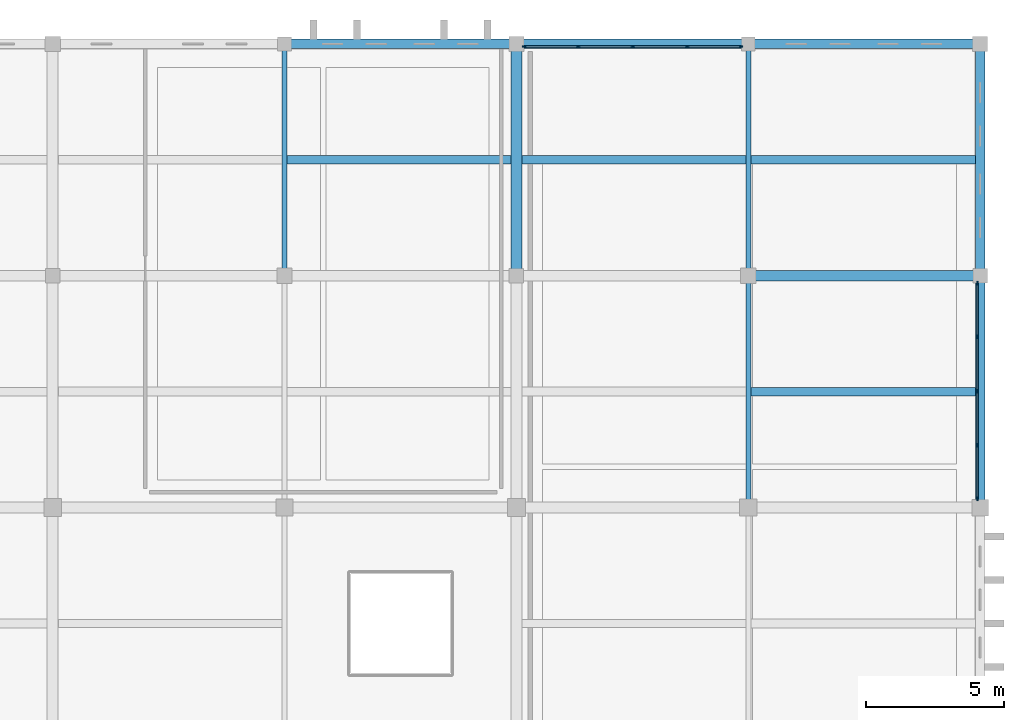
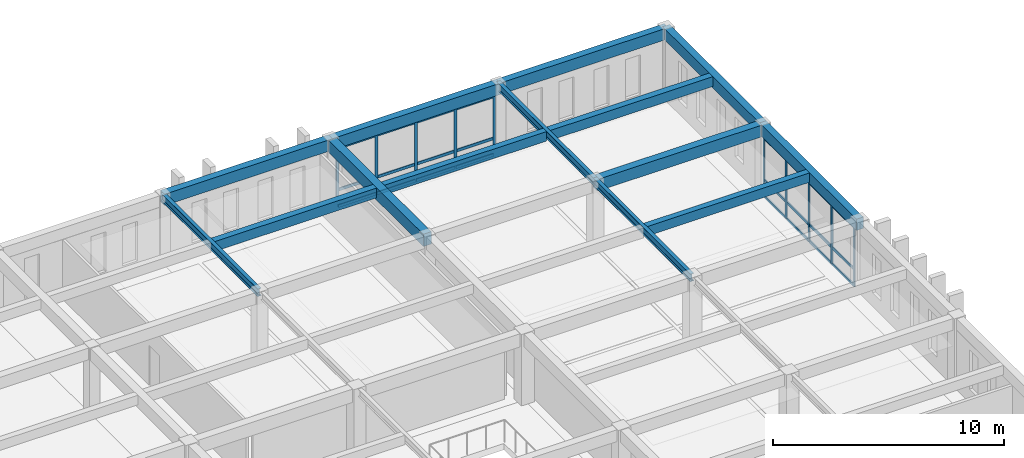
# One storey, part 21 of 47: 34 members, 14 beams, 2 elements without a shape of their own.
"""IFC4 building model written with IfcOpenShell, lengths in metres."""

from ifc_helpers import new_model, si_unit, direction, frame, origin, origin_2d, place, context, subcontext, project, spatial, rectangle, i_section, extrude, material, layer, layer_set, material_profile, profile_set, type_object, element, aggregate, save


model = new_model("IFC4")

# Units and contexts
model_context = context("Model", 3, precision=1e-05, world=origin(), true_north=direction((0.0, 1.0)))
body_context = subcontext(model_context, "Body", "Model", "MODEL_VIEW")
ifc_project = project(units=[si_unit("LENGTHUNIT", "METRE"), si_unit("AREAUNIT", "SQUARE_METRE"), si_unit("VOLUMEUNIT", "CUBIC_METRE"), si_unit("PLANEANGLEUNIT", "RADIAN"), si_unit("MASSUNIT", "GRAM", prefix="KILO")], contexts=[model_context])

# Site, building, storey
site_placement = place(None, origin())
site = spatial("IfcSite", under=ifc_project, at=site_placement, CompositionType="ELEMENT")
building_placement = place(site_placement, origin())
building = spatial("IfcBuilding", under=site, at=building_placement, Name="Kveldsbrygga Polytechnic", CompositionType="ELEMENT")
storey_placement = place(building_placement, frame((0.0, 0.0, 13.93994140625)))
storey = spatial("IfcBuildingStorey", under=building, at=storey_placement, Name="L03", CompositionType="ELEMENT", Elevation=13.93994140625)

# Beams
ifc_material_1 = material(Name="Concrete C35/45", Category="concrete")
ifc_material_profile_1 = material_profile(ifc_material_1, rectangle(XDim=0.3798828125, YDim=0.6201171875, at=origin_2d()), Name="RC 380x620")
ifc_profile_set_1 = profile_set([ifc_material_profile_1], Name="Concrete C35/45")
beam_type_1 = type_object("IfcBeamType", Name="BM-RC-380x620", PredefinedType="BEAM", material=ifc_profile_set_1)
beam_1_placement = place(storey_placement, frame((159.60009765625, 109.199951171875, 3.43994140625), z_axis=(1.0, 0.0, 0.0), x_axis=(0.0, 1.0, 0.0)))
element("IfcBeam", 1, at=beam_1_placement, inside=storey, type_object=beam_type_1, Name="Primary Beam BMX-L03-19to20-13", PredefinedType="BEAM", context=body_context, shape_type="SweptSolid", body=[
    extrude(rectangle(XDim=0.3798828125, YDim=0.6201171875, at=origin_2d()), origin(), (0.0, 0.0, 1.0), 8.39990234375),
])
ifc_material_profile_2 = material_profile(ifc_material_1, rectangle(XDim=0.39990234375, YDim=0.64990234375, at=origin_2d()), Name="RC 400x650")
ifc_profile_set_2 = profile_set([ifc_material_profile_2], Name="Concrete C35/45")
beam_type_2 = type_object("IfcBeamType", Name="BM-RC-400x650", PredefinedType="BEAM", material=ifc_profile_set_2)
beam_2_placement = place(storey_placement, frame((151.199951171875, 109.199951171875, 3.425048828125), z_axis=(0.0, 1.0, 0.0), x_axis=(-1.0, 0.0, 0.0)))
element("IfcBeam", 2, at=beam_2_placement, inside=storey, type_object=beam_type_2, Name="Primary Beam BMY-L03-18-13to14", PredefinedType="BEAM", context=body_context, shape_type="SweptSolid", body=[
    extrude(rectangle(XDim=0.39990234375, YDim=0.64990234375, at=origin_2d()), origin(), (0.0, 0.0, 1.0), 8.400146484375),
])
ifc_material_profile_3 = material_profile(ifc_material_1, rectangle(XDim=0.35009765625, YDim=0.60009765625, at=origin_2d()), Name="RC 350x600")
ifc_profile_set_3 = profile_set([ifc_material_profile_3], Name="Concrete C35/45")
beam_type_3 = type_object("IfcBeamType", Name="BM-SPANDREL-600", PredefinedType="T_BEAM", material=ifc_profile_set_3)
beam_3_placement = place(storey_placement, frame((142.800048828125, 117.60009765625, 3.449951171875), z_axis=(1.0, 0.0, 0.0), x_axis=(0.0, 1.0, 0.0)))
element("IfcBeam", 3, at=beam_3_placement, inside=storey, type_object=beam_type_3, Name="Primary Beam BMX-L03-17to18-14", PredefinedType="T_BEAM", context=body_context, shape_type="SweptSolid", body=[
    extrude(rectangle(XDim=0.35009765625, YDim=0.60009765625, at=origin_2d()), origin(), (0.0, 0.0, 1.0), 8.39990234375),
])
beam_4_placement = place(storey_placement, frame((151.199951171875, 117.60009765625, 3.449951171875), z_axis=(1.0, 0.0, 0.0), x_axis=(0.0, 1.0, 0.0)))
element("IfcBeam", 4, at=beam_4_placement, inside=storey, type_object=beam_type_3, Name="Primary Beam BMX-L03-18to19-14", PredefinedType="T_BEAM", context=body_context, shape_type="SweptSolid", body=[
    extrude(rectangle(XDim=0.35009765625, YDim=0.60009765625, at=origin_2d()), origin(), (0.0, 0.0, 1.0), 8.400146484375),
])
for number, where, z_axis, x_axis, name in (
    (5, (159.60009765625, 117.60009765625, 3.449951171875), (1.0, 0.0, 0.0), (0.0, 1.0, 0.0), "Primary Beam BMX-L03-19to20-14"),
    (6, (168.0, 100.800048828125, 3.449951171875), (0.0, 1.0, 0.0), (-1.0, 0.0, 0.0), "Primary Beam BMY-L03-20-12to13"),
):
    element("IfcBeam", number, at=place(storey_placement, frame(where, z_axis=z_axis, x_axis=x_axis)), inside=storey, type_object=beam_type_3, Name=name, PredefinedType="T_BEAM", context=body_context, shape_type="SweptSolid", body=[
        extrude(rectangle(XDim=0.35009765625, YDim=0.60009765625, at=origin_2d()), origin(), (0.0, 0.0, 1.0), 8.39990234375),
    ])
beam_5_placement = place(storey_placement, frame((168.0, 109.199951171875, 3.449951171875), z_axis=(0.0, 1.0, 0.0), x_axis=(-1.0, 0.0, 0.0)))
element("IfcBeam", 7, at=beam_5_placement, inside=storey, type_object=beam_type_3, Name="Primary Beam BMY-L03-20-13to14", PredefinedType="T_BEAM", context=body_context, shape_type="SweptSolid", body=[
    extrude(rectangle(XDim=0.35009765625, YDim=0.60009765625, at=origin_2d()), origin(), (0.0, 0.0, 1.0), 8.400146484375),
])
ifc_material_2 = material(Name="Steel S355", Category="steel")
ifc_material_profile_4 = material_profile(ifc_material_2, i_section(OverallWidth=0.179931640625, OverallDepth=0.39990234375, WebThickness=0.008544921875, FlangeThickness=0.013427734375, FilletRadius=0.02099609375, at=origin_2d()), Name="IPE 400")
ifc_profile_set_4 = profile_set([ifc_material_profile_4], Name="Steel S355")
beam_type_4 = type_object("IfcBeamType", Name="BM-STL-IPE400", PredefinedType="BEAM", material=ifc_profile_set_4)
beam_6_placement = place(storey_placement, frame((142.800048828125, 109.199951171875, 3.550048828125), z_axis=(0.0, 1.0, 0.0), x_axis=(-1.0, 0.0, 0.0)))
element("IfcBeam", 8, at=beam_6_placement, inside=storey, type_object=beam_type_4, Name="Primary Beam BMY-L03-17-13to14", PredefinedType="BEAM", context=body_context, shape_type="SweptSolid", body=[
    extrude(i_section(OverallWidth=0.179931640625, OverallDepth=0.39990234375, WebThickness=0.008544921875, FlangeThickness=0.013427734375, FilletRadius=0.02099609375, at=origin_2d()), origin(), (0.0, 0.0, 1.0), 8.400146484375),
])
beam_7_placement = place(storey_placement, frame((159.60009765625, 100.800048828125, 3.550048828125), z_axis=(0.0, 1.0, 0.0), x_axis=(-1.0, 0.0, 0.0)))
element("IfcBeam", 9, at=beam_7_placement, inside=storey, type_object=beam_type_4, Name="Primary Beam BMY-L03-19-12to13", PredefinedType="BEAM", context=body_context, shape_type="SweptSolid", body=[
    extrude(i_section(OverallWidth=0.179931640625, OverallDepth=0.39990234375, WebThickness=0.008544921875, FlangeThickness=0.013427734375, FilletRadius=0.02099609375, at=origin_2d()), origin(), (0.0, 0.0, 1.0), 8.39990234375),
])
beam_8_placement = place(storey_placement, frame((159.60009765625, 109.199951171875, 3.550048828125), z_axis=(0.0, 1.0, 0.0), x_axis=(-1.0, 0.0, 0.0)))
element("IfcBeam", 10, at=beam_8_placement, inside=storey, type_object=beam_type_4, Name="Primary Beam BMY-L03-19-13to14", PredefinedType="BEAM", context=body_context, shape_type="SweptSolid", body=[
    extrude(i_section(OverallWidth=0.179931640625, OverallDepth=0.39990234375, WebThickness=0.008544921875, FlangeThickness=0.013427734375, FilletRadius=0.02099609375, at=origin_2d()), origin(), (0.0, 0.0, 1.0), 8.400146484375),
])

# Curtain wall, members
ifc_material_3 = material(Name="Anodised aluminium AW-6060", Category="aluminium")
ifc_layer = layer(ifc_material_3, 0.199951171875)
ifc_layer_set = layer_set([ifc_layer], Name="Anodised aluminium AW-6060")
curtain_wall_type = type_object("IfcCurtainWallType", Name="CW-LANC-E", PredefinedType="USERDEFINED", material=ifc_layer_set)
curtain_wall_1_placement = place(storey_placement, origin())
curtain_wall_1 = element("IfcCurtainWall", 11, at=curtain_wall_1_placement, inside=storey, type_object=curtain_wall_type, Name="Curtain Wall CW-L03-X-18-14", ObjectType="UNITISED CURTAIN WALL", PredefinedType="USERDEFINED")
ifc_material_profile_5 = material_profile(ifc_material_3, rectangle(XDim=0.06005859375, YDim=0.139892578125, at=origin_2d()), Name="ALU 60x140")
ifc_profile_set_5 = profile_set([ifc_material_profile_5], Name="Anodised aluminium AW-6060")
member_type_1 = type_object("IfcMemberType", Name="CW-MUL-140", PredefinedType="MULLION", material=ifc_profile_set_5)
member_1_placement = place(storey_placement, frame((151.489990234375, 117.5, 0.0), z_axis=(0.0, 0.0, 1.0), x_axis=(0.0, 1.0, 0.0)))
member_1 = element("IfcMember", 12, at=member_1_placement, type_object=member_type_1, Name="CW-05 mullion 1", PredefinedType="MULLION", context=body_context, shape_type="SweptSolid", body=[
    extrude(rectangle(XDim=0.06005859375, YDim=0.139892578125, at=origin_2d()), origin(), (0.0, 0.0, 1.0), 3.150146484375),
])
member_2_placement = place(storey_placement, frame((153.436279296875, 117.5, 0.0), z_axis=(0.0, 0.0, 1.0), x_axis=(0.0, 1.0, 0.0)))
member_2 = element("IfcMember", 13, at=member_2_placement, type_object=member_type_1, Name="CW-05 mullion 2", PredefinedType="MULLION", context=body_context, shape_type="SweptSolid", body=[
    extrude(rectangle(XDim=0.06005859375, YDim=0.139892578125, at=origin_2d()), origin(), (0.0, 0.0, 1.0), 3.150146484375),
])
member_3_placement = place(storey_placement, frame((155.41259765625, 117.5, 0.0), z_axis=(0.0, 0.0, 1.0), x_axis=(0.0, 1.0, 0.0)))
member_3 = element("IfcMember", 14, at=member_3_placement, type_object=member_type_1, Name="CW-05 mullion 3", PredefinedType="MULLION", context=body_context, shape_type="SweptSolid", body=[
    extrude(rectangle(XDim=0.06005859375, YDim=0.139892578125, at=origin_2d()), origin(), (0.0, 0.0, 1.0), 3.150146484375),
])
member_4_placement = place(storey_placement, frame((157.388671875, 117.5, 0.0), z_axis=(0.0, 0.0, 1.0), x_axis=(0.0, 1.0, 0.0)))
member_4 = element("IfcMember", 15, at=member_4_placement, type_object=member_type_1, Name="CW-05 mullion 4", PredefinedType="MULLION", context=body_context, shape_type="SweptSolid", body=[
    extrude(rectangle(XDim=0.06005859375, YDim=0.139892578125, at=origin_2d()), origin(), (0.0, 0.0, 1.0), 3.150146484375),
])
member_5_placement = place(storey_placement, frame((159.3349609375, 117.5, 0.0), z_axis=(0.0, 0.0, 1.0), x_axis=(0.0, 1.0, 0.0)))
member_5 = element("IfcMember", 16, at=member_5_placement, type_object=member_type_1, Name="CW-05 mullion 5", PredefinedType="MULLION", context=body_context, shape_type="SweptSolid", body=[
    extrude(rectangle(XDim=0.06005859375, YDim=0.139892578125, at=origin_2d()), origin(), (0.0, 0.0, 1.0), 3.150146484375),
])

curtain_wall_2_placement = place(storey_placement, origin())
curtain_wall_2 = element("IfcCurtainWall", 17, at=curtain_wall_2_placement, inside=storey, type_object=curtain_wall_type, Name="Curtain Wall CW-L03-Y-20-12", ObjectType="UNITISED CURTAIN WALL", PredefinedType="USERDEFINED")
member_6_placement = place(storey_placement, frame((167.89990234375, 101.114990234375, 0.0), z_axis=(0.0, 0.0, 1.0), x_axis=(-1.0, 0.0, 0.0)))
member_6 = element("IfcMember", 18, at=member_6_placement, type_object=member_type_1, Name="CW-05 mullion 1", PredefinedType="MULLION", context=body_context, shape_type="SweptSolid", body=[
    extrude(rectangle(XDim=0.06005859375, YDim=0.139892578125, at=origin_2d()), origin(), (0.0, 0.0, 1.0), 3.150146484375),
])
member_7_placement = place(storey_placement, frame((167.89990234375, 103.052490234375, 0.0), z_axis=(0.0, 0.0, 1.0), x_axis=(-1.0, 0.0, 0.0)))
member_7 = element("IfcMember", 19, at=member_7_placement, type_object=member_type_1, Name="CW-05 mullion 2", PredefinedType="MULLION", context=body_context, shape_type="SweptSolid", body=[
    extrude(rectangle(XDim=0.06005859375, YDim=0.139892578125, at=origin_2d()), origin(), (0.0, 0.0, 1.0), 3.150146484375),
])
member_8_placement = place(storey_placement, frame((167.89990234375, 105.02001953125, 0.0), z_axis=(0.0, 0.0, 1.0), x_axis=(-1.0, 0.0, 0.0)))
member_8 = element("IfcMember", 20, at=member_8_placement, type_object=member_type_1, Name="CW-05 mullion 3", PredefinedType="MULLION", context=body_context, shape_type="SweptSolid", body=[
    extrude(rectangle(XDim=0.06005859375, YDim=0.139892578125, at=origin_2d()), origin(), (0.0, 0.0, 1.0), 3.150146484375),
])
member_9_placement = place(storey_placement, frame((167.89990234375, 106.987548828125, 0.0), z_axis=(0.0, 0.0, 1.0), x_axis=(-1.0, 0.0, 0.0)))
member_9 = element("IfcMember", 21, at=member_9_placement, type_object=member_type_1, Name="CW-05 mullion 4", PredefinedType="MULLION", context=body_context, shape_type="SweptSolid", body=[
    extrude(rectangle(XDim=0.06005859375, YDim=0.139892578125, at=origin_2d()), origin(), (0.0, 0.0, 1.0), 3.150146484375),
])
member_10_placement = place(storey_placement, frame((167.89990234375, 108.925048828125, 0.0), z_axis=(0.0, 0.0, 1.0), x_axis=(-1.0, 0.0, 0.0)))
member_10 = element("IfcMember", 22, at=member_10_placement, type_object=member_type_1, Name="CW-05 mullion 5", PredefinedType="MULLION", context=body_context, shape_type="SweptSolid", body=[
    extrude(rectangle(XDim=0.06005859375, YDim=0.139892578125, at=origin_2d()), origin(), (0.0, 0.0, 1.0), 3.150146484375),
])

# Member
ifc_material_profile_6 = material_profile(ifc_material_3, rectangle(XDim=0.06005859375, YDim=0.14990234375, at=origin_2d()), Name="ALU 60x150")
ifc_profile_set_6 = profile_set([ifc_material_profile_6], Name="Anodised aluminium AW-6060")
member_type_2 = type_object("IfcMemberType", Name="CW-TRN-150", PredefinedType="USERDEFINED", material=ifc_profile_set_6)
member_11_placement = place(storey_placement, frame((151.52001953125, 117.5, 0.030029296875), z_axis=(1.0, 0.0, 0.0), x_axis=(0.0, 1.0, 0.0)))
member_11 = element("IfcMember", 23, at=member_11_placement, type_object=member_type_2, Name="CW-05 transom 1.1", ObjectType="TRANSOM", PredefinedType="USERDEFINED", context=body_context, shape_type="SweptSolid", body=[
    extrude(rectangle(XDim=0.06005859375, YDim=0.14990234375, at=origin_2d()), origin(), (0.0, 0.0, 1.0), 1.88623046875),
])

member_12_placement = place(storey_placement, frame((151.52001953125, 117.5, 0.900146484375), z_axis=(1.0, 0.0, 0.0), x_axis=(0.0, 1.0, 0.0)))
member_12 = element("IfcMember", 24, at=member_12_placement, type_object=member_type_2, Name="CW-05 transom 1.2", ObjectType="TRANSOM", PredefinedType="USERDEFINED", context=body_context, shape_type="SweptSolid", body=[
    extrude(rectangle(XDim=0.06005859375, YDim=0.14990234375, at=origin_2d()), origin(), (0.0, 0.0, 1.0), 1.88623046875),
])

member_13_placement = place(storey_placement, frame((151.52001953125, 117.5, 3.1201171875), z_axis=(1.0, 0.0, 0.0), x_axis=(0.0, 1.0, 0.0)))
member_13 = element("IfcMember", 25, at=member_13_placement, type_object=member_type_2, Name="CW-05 transom 1.3", ObjectType="TRANSOM", PredefinedType="USERDEFINED", context=body_context, shape_type="SweptSolid", body=[
    extrude(rectangle(XDim=0.06005859375, YDim=0.14990234375, at=origin_2d()), origin(), (0.0, 0.0, 1.0), 1.88623046875),
])

member_14_placement = place(storey_placement, frame((153.46630859375, 117.5, 0.030029296875), z_axis=(1.0, 0.0, 0.0), x_axis=(0.0, 1.0, 0.0)))
member_14 = element("IfcMember", 26, at=member_14_placement, type_object=member_type_2, Name="CW-05 transom 2.1", ObjectType="TRANSOM", PredefinedType="USERDEFINED", context=body_context, shape_type="SweptSolid", body=[
    extrude(rectangle(XDim=0.06005859375, YDim=0.14990234375, at=origin_2d()), origin(), (0.0, 0.0, 1.0), 1.916259765625),
])

member_15_placement = place(storey_placement, frame((153.46630859375, 117.5, 0.900146484375), z_axis=(1.0, 0.0, 0.0), x_axis=(0.0, 1.0, 0.0)))
member_15 = element("IfcMember", 27, at=member_15_placement, type_object=member_type_2, Name="CW-05 transom 2.2", ObjectType="TRANSOM", PredefinedType="USERDEFINED", context=body_context, shape_type="SweptSolid", body=[
    extrude(rectangle(XDim=0.06005859375, YDim=0.14990234375, at=origin_2d()), origin(), (0.0, 0.0, 1.0), 1.916259765625),
])

member_16_placement = place(storey_placement, frame((153.46630859375, 117.5, 3.1201171875), z_axis=(1.0, 0.0, 0.0), x_axis=(0.0, 1.0, 0.0)))
member_16 = element("IfcMember", 28, at=member_16_placement, type_object=member_type_2, Name="CW-05 transom 2.3", ObjectType="TRANSOM", PredefinedType="USERDEFINED", context=body_context, shape_type="SweptSolid", body=[
    extrude(rectangle(XDim=0.06005859375, YDim=0.14990234375, at=origin_2d()), origin(), (0.0, 0.0, 1.0), 1.916259765625),
])

member_17_placement = place(storey_placement, frame((155.4423828125, 117.5, 0.030029296875), z_axis=(1.0, 0.0, 0.0), x_axis=(0.0, 1.0, 0.0)))
member_17 = element("IfcMember", 29, at=member_17_placement, type_object=member_type_2, Name="CW-05 transom 3.1", ObjectType="TRANSOM", PredefinedType="USERDEFINED", context=body_context, shape_type="SweptSolid", body=[
    extrude(rectangle(XDim=0.06005859375, YDim=0.14990234375, at=origin_2d()), origin(), (0.0, 0.0, 1.0), 1.916259765625),
])

member_18_placement = place(storey_placement, frame((155.4423828125, 117.5, 0.900146484375), z_axis=(1.0, 0.0, 0.0), x_axis=(0.0, 1.0, 0.0)))
member_18 = element("IfcMember", 30, at=member_18_placement, type_object=member_type_2, Name="CW-05 transom 3.2", ObjectType="TRANSOM", PredefinedType="USERDEFINED", context=body_context, shape_type="SweptSolid", body=[
    extrude(rectangle(XDim=0.06005859375, YDim=0.14990234375, at=origin_2d()), origin(), (0.0, 0.0, 1.0), 1.916259765625),
])

member_19_placement = place(storey_placement, frame((155.4423828125, 117.5, 3.1201171875), z_axis=(1.0, 0.0, 0.0), x_axis=(0.0, 1.0, 0.0)))
member_19 = element("IfcMember", 31, at=member_19_placement, type_object=member_type_2, Name="CW-05 transom 3.3", ObjectType="TRANSOM", PredefinedType="USERDEFINED", context=body_context, shape_type="SweptSolid", body=[
    extrude(rectangle(XDim=0.06005859375, YDim=0.14990234375, at=origin_2d()), origin(), (0.0, 0.0, 1.0), 1.916259765625),
])

member_20_placement = place(storey_placement, frame((157.418701171875, 117.5, 0.030029296875), z_axis=(1.0, 0.0, 0.0), x_axis=(0.0, 1.0, 0.0)))
member_20 = element("IfcMember", 32, at=member_20_placement, type_object=member_type_2, Name="CW-05 transom 4.1", ObjectType="TRANSOM", PredefinedType="USERDEFINED", context=body_context, shape_type="SweptSolid", body=[
    extrude(rectangle(XDim=0.06005859375, YDim=0.14990234375, at=origin_2d()), origin(), (0.0, 0.0, 1.0), 1.88623046875),
])

member_21_placement = place(storey_placement, frame((157.418701171875, 117.5, 0.900146484375), z_axis=(1.0, 0.0, 0.0), x_axis=(0.0, 1.0, 0.0)))
member_21 = element("IfcMember", 33, at=member_21_placement, type_object=member_type_2, Name="CW-05 transom 4.2", ObjectType="TRANSOM", PredefinedType="USERDEFINED", context=body_context, shape_type="SweptSolid", body=[
    extrude(rectangle(XDim=0.06005859375, YDim=0.14990234375, at=origin_2d()), origin(), (0.0, 0.0, 1.0), 1.88623046875),
])

member_22_placement = place(storey_placement, frame((157.418701171875, 117.5, 3.1201171875), z_axis=(1.0, 0.0, 0.0), x_axis=(0.0, 1.0, 0.0)))
member_22 = element("IfcMember", 34, at=member_22_placement, type_object=member_type_2, Name="CW-05 transom 4.3", ObjectType="TRANSOM", PredefinedType="USERDEFINED", context=body_context, shape_type="SweptSolid", body=[
    extrude(rectangle(XDim=0.06005859375, YDim=0.14990234375, at=origin_2d()), origin(), (0.0, 0.0, 1.0), 1.88623046875),
])

aggregate(curtain_wall_1, [member_1, member_2, member_3, member_4, member_5, member_11, member_12, member_13, member_14, member_15, member_16, member_17, member_18, member_19, member_20, member_21, member_22])

member_23_placement = place(storey_placement, frame((167.89990234375, 101.14501953125, 0.030029296875), z_axis=(0.0, 1.0, 0.0), x_axis=(-1.0, 0.0, 0.0)))
member_23 = element("IfcMember", 35, at=member_23_placement, type_object=member_type_2, Name="CW-05 transom 1.1", ObjectType="TRANSOM", PredefinedType="USERDEFINED", context=body_context, shape_type="SweptSolid", body=[
    extrude(rectangle(XDim=0.06005859375, YDim=0.14990234375, at=origin_2d()), origin(), (0.0, 0.0, 1.0), 1.87744140625),
])

member_24_placement = place(storey_placement, frame((167.89990234375, 101.14501953125, 0.900146484375), z_axis=(0.0, 1.0, 0.0), x_axis=(-1.0, 0.0, 0.0)))
member_24 = element("IfcMember", 36, at=member_24_placement, type_object=member_type_2, Name="CW-05 transom 1.2", ObjectType="TRANSOM", PredefinedType="USERDEFINED", context=body_context, shape_type="SweptSolid", body=[
    extrude(rectangle(XDim=0.06005859375, YDim=0.14990234375, at=origin_2d()), origin(), (0.0, 0.0, 1.0), 1.87744140625),
])

member_25_placement = place(storey_placement, frame((167.89990234375, 101.14501953125, 3.1201171875), z_axis=(0.0, 1.0, 0.0), x_axis=(-1.0, 0.0, 0.0)))
member_25 = element("IfcMember", 37, at=member_25_placement, type_object=member_type_2, Name="CW-05 transom 1.3", ObjectType="TRANSOM", PredefinedType="USERDEFINED", context=body_context, shape_type="SweptSolid", body=[
    extrude(rectangle(XDim=0.06005859375, YDim=0.14990234375, at=origin_2d()), origin(), (0.0, 0.0, 1.0), 1.87744140625),
])

member_26_placement = place(storey_placement, frame((167.89990234375, 103.08251953125, 0.030029296875), z_axis=(0.0, 1.0, 0.0), x_axis=(-1.0, 0.0, 0.0)))
member_26 = element("IfcMember", 38, at=member_26_placement, type_object=member_type_2, Name="CW-05 transom 2.1", ObjectType="TRANSOM", PredefinedType="USERDEFINED", context=body_context, shape_type="SweptSolid", body=[
    extrude(rectangle(XDim=0.06005859375, YDim=0.14990234375, at=origin_2d()), origin(), (0.0, 0.0, 1.0), 1.907470703125),
])

member_27_placement = place(storey_placement, frame((167.89990234375, 103.08251953125, 0.900146484375), z_axis=(0.0, 1.0, 0.0), x_axis=(-1.0, 0.0, 0.0)))
member_27 = element("IfcMember", 39, at=member_27_placement, type_object=member_type_2, Name="CW-05 transom 2.2", ObjectType="TRANSOM", PredefinedType="USERDEFINED", context=body_context, shape_type="SweptSolid", body=[
    extrude(rectangle(XDim=0.06005859375, YDim=0.14990234375, at=origin_2d()), origin(), (0.0, 0.0, 1.0), 1.907470703125),
])

member_28_placement = place(storey_placement, frame((167.89990234375, 103.08251953125, 3.1201171875), z_axis=(0.0, 1.0, 0.0), x_axis=(-1.0, 0.0, 0.0)))
member_28 = element("IfcMember", 40, at=member_28_placement, type_object=member_type_2, Name="CW-05 transom 2.3", ObjectType="TRANSOM", PredefinedType="USERDEFINED", context=body_context, shape_type="SweptSolid", body=[
    extrude(rectangle(XDim=0.06005859375, YDim=0.14990234375, at=origin_2d()), origin(), (0.0, 0.0, 1.0), 1.907470703125),
])

member_29_placement = place(storey_placement, frame((167.89990234375, 105.050048828125, 0.030029296875), z_axis=(0.0, 1.0, 0.0), x_axis=(-1.0, 0.0, 0.0)))
member_29 = element("IfcMember", 41, at=member_29_placement, type_object=member_type_2, Name="CW-05 transom 3.1", ObjectType="TRANSOM", PredefinedType="USERDEFINED", context=body_context, shape_type="SweptSolid", body=[
    extrude(rectangle(XDim=0.06005859375, YDim=0.14990234375, at=origin_2d()), origin(), (0.0, 0.0, 1.0), 1.907470703125),
])

member_30_placement = place(storey_placement, frame((167.89990234375, 105.050048828125, 0.900146484375), z_axis=(0.0, 1.0, 0.0), x_axis=(-1.0, 0.0, 0.0)))
member_30 = element("IfcMember", 42, at=member_30_placement, type_object=member_type_2, Name="CW-05 transom 3.2", ObjectType="TRANSOM", PredefinedType="USERDEFINED", context=body_context, shape_type="SweptSolid", body=[
    extrude(rectangle(XDim=0.06005859375, YDim=0.14990234375, at=origin_2d()), origin(), (0.0, 0.0, 1.0), 1.907470703125),
])

member_31_placement = place(storey_placement, frame((167.89990234375, 105.050048828125, 3.1201171875), z_axis=(0.0, 1.0, 0.0), x_axis=(-1.0, 0.0, 0.0)))
member_31 = element("IfcMember", 43, at=member_31_placement, type_object=member_type_2, Name="CW-05 transom 3.3", ObjectType="TRANSOM", PredefinedType="USERDEFINED", context=body_context, shape_type="SweptSolid", body=[
    extrude(rectangle(XDim=0.06005859375, YDim=0.14990234375, at=origin_2d()), origin(), (0.0, 0.0, 1.0), 1.907470703125),
])

member_32_placement = place(storey_placement, frame((167.89990234375, 107.017578125, 0.030029296875), z_axis=(0.0, 1.0, 0.0), x_axis=(-1.0, 0.0, 0.0)))
member_32 = element("IfcMember", 44, at=member_32_placement, type_object=member_type_2, Name="CW-05 transom 4.1", ObjectType="TRANSOM", PredefinedType="USERDEFINED", context=body_context, shape_type="SweptSolid", body=[
    extrude(rectangle(XDim=0.06005859375, YDim=0.14990234375, at=origin_2d()), origin(), (0.0, 0.0, 1.0), 1.87744140625),
])

member_33_placement = place(storey_placement, frame((167.89990234375, 107.017578125, 0.900146484375), z_axis=(0.0, 1.0, 0.0), x_axis=(-1.0, 0.0, 0.0)))
member_33 = element("IfcMember", 45, at=member_33_placement, type_object=member_type_2, Name="CW-05 transom 4.2", ObjectType="TRANSOM", PredefinedType="USERDEFINED", context=body_context, shape_type="SweptSolid", body=[
    extrude(rectangle(XDim=0.06005859375, YDim=0.14990234375, at=origin_2d()), origin(), (0.0, 0.0, 1.0), 1.87744140625),
])

member_34_placement = place(storey_placement, frame((167.89990234375, 107.017578125, 3.1201171875), z_axis=(0.0, 1.0, 0.0), x_axis=(-1.0, 0.0, 0.0)))
member_34 = element("IfcMember", 46, at=member_34_placement, type_object=member_type_2, Name="CW-05 transom 4.3", ObjectType="TRANSOM", PredefinedType="USERDEFINED", context=body_context, shape_type="SweptSolid", body=[
    extrude(rectangle(XDim=0.06005859375, YDim=0.14990234375, at=origin_2d()), origin(), (0.0, 0.0, 1.0), 1.87744140625),
])

aggregate(curtain_wall_2, [member_6, member_7, member_8, member_9, member_10, member_23, member_24, member_25, member_26, member_27, member_28, member_29, member_30, member_31, member_32, member_33, member_34])

# Beams
ifc_material_profile_7 = material_profile(ifc_material_1, rectangle(XDim=0.300048828125, YDim=0.5, at=origin_2d()), Name="RC 300x500")
ifc_profile_set_7 = profile_set([ifc_material_profile_7], Name="Concrete C35/45")
beam_type_5 = type_object("IfcBeamType", Name="JST-RC-300x500", PredefinedType="JOIST", material=ifc_profile_set_7)
beam_9_placement = place(storey_placement, frame((151.39990234375, 113.39990234375, 3.5), z_axis=(1.0, 0.0, 0.0), x_axis=(0.0, 1.0, 0.0)))
element("IfcBeam", 47, at=beam_9_placement, inside=storey, type_object=beam_type_5, Name="Secondary Joist JST-L03-18-13", PredefinedType="JOIST", context=body_context, shape_type="SweptSolid", body=[
    extrude(rectangle(XDim=0.300048828125, YDim=0.5, at=origin_2d()), origin(), (0.0, 0.0, 1.0), 8.110107421875),
])
beam_10_placement = place(storey_placement, frame((159.68994140625, 105.0, 3.5), z_axis=(1.0, 0.0, 0.0), x_axis=(0.0, 1.0, 0.0)))
element("IfcBeam", 48, at=beam_10_placement, inside=storey, type_object=beam_type_5, Name="Secondary Joist JST-L03-19-12", PredefinedType="JOIST", context=body_context, shape_type="SweptSolid", body=[
    extrude(rectangle(XDim=0.300048828125, YDim=0.5, at=origin_2d()), origin(), (0.0, 0.0, 1.0), 8.135009765625),
])
ifc_material_profile_8 = material_profile(ifc_material_1, rectangle(XDim=0.320068359375, YDim=0.52001953125, at=origin_2d()), Name="RC 320x520")
ifc_profile_set_8 = profile_set([ifc_material_profile_8], Name="Concrete C35/45")
beam_type_6 = type_object("IfcBeamType", Name="JST-RC-320x520", PredefinedType="JOIST", material=ifc_profile_set_8)
beam_11_placement = place(storey_placement, frame((142.889892578125, 113.39990234375, 3.489990234375), z_axis=(1.0, 0.0, 0.0), x_axis=(0.0, 1.0, 0.0)))
element("IfcBeam", 49, at=beam_11_placement, inside=storey, type_object=beam_type_6, Name="Secondary Joist JST-L03-17-13", PredefinedType="JOIST", context=body_context, shape_type="SweptSolid", body=[
    extrude(rectangle(XDim=0.320068359375, YDim=0.52001953125, at=origin_2d()), origin(), (0.0, 0.0, 1.0), 8.110107421875),
])
beam_12_placement = place(storey_placement, frame((159.68994140625, 113.39990234375, 3.489990234375), z_axis=(1.0, 0.0, 0.0), x_axis=(0.0, 1.0, 0.0)))
element("IfcBeam", 50, at=beam_12_placement, inside=storey, type_object=beam_type_6, Name="Secondary Joist JST-L03-19-13", PredefinedType="JOIST", context=body_context, shape_type="SweptSolid", body=[
    extrude(rectangle(XDim=0.320068359375, YDim=0.52001953125, at=origin_2d()), origin(), (0.0, 0.0, 1.0), 8.135009765625),
])

save(model, "model.ifc")
